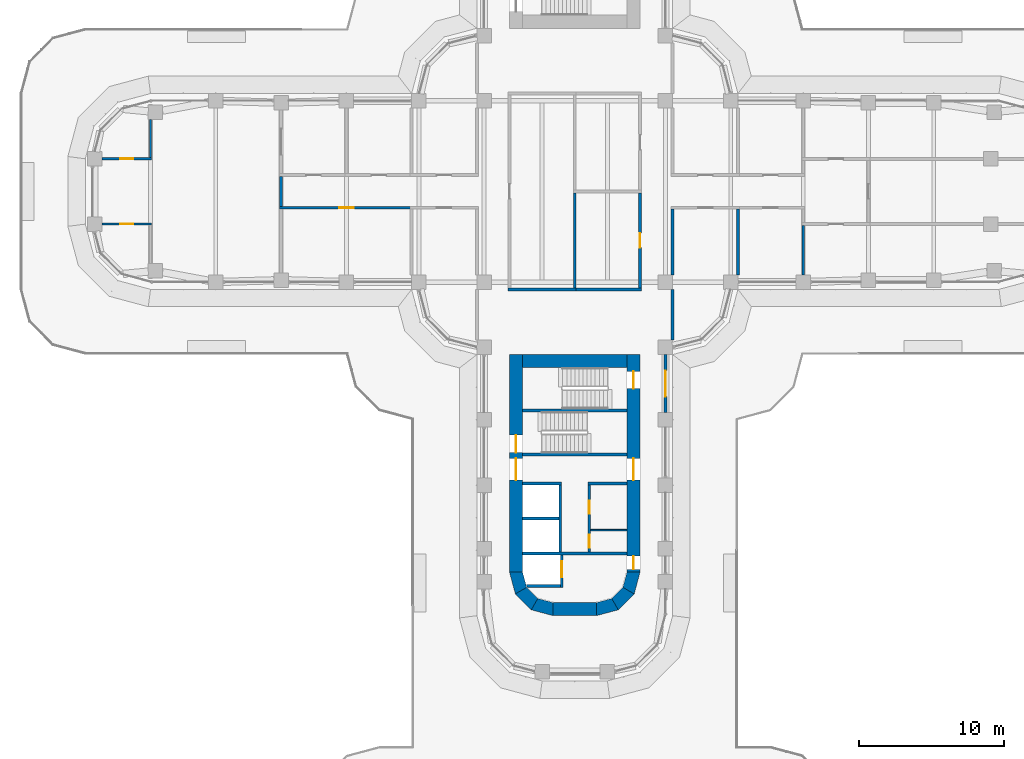
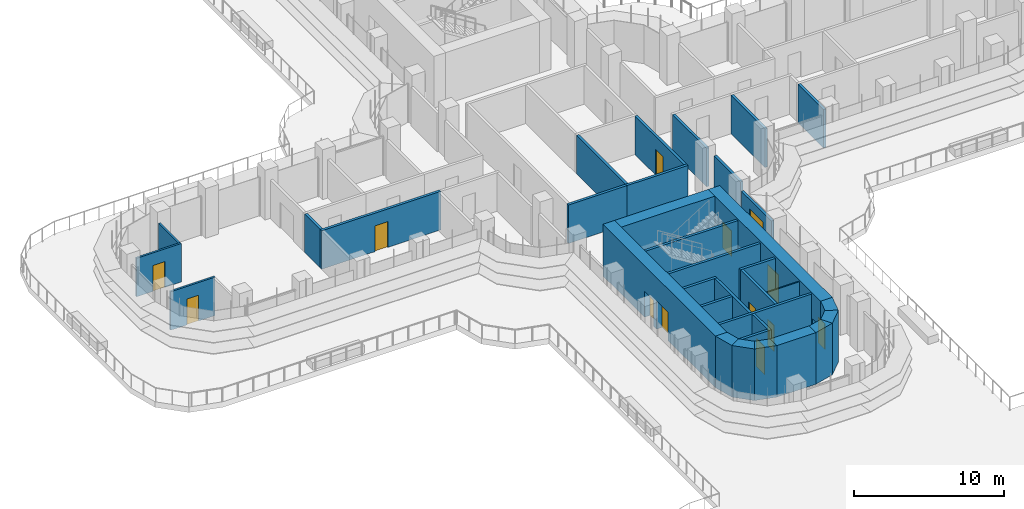
# One storey, part 17 of 26: 35 walls, 13 doors, 13 openings.
"""IFC4 building model written with IfcOpenShell, lengths in metres."""

from ifc_helpers import new_model, si_unit, direction, frame, frame_2d, origin, place, context, subcontext, project, spatial, polyline, rectangle, outline, extrude, material, layer, layer_set, type_object, element, fill, save


model = new_model("IFC4")

# Units and contexts
model_context = context("Model", 3, precision=1e-05, world=origin(), true_north=direction((0.0, 1.0)))
body_context = subcontext(model_context, "Body", "Model", "MODEL_VIEW")
ifc_project = project(units=[si_unit("LENGTHUNIT", "METRE"), si_unit("AREAUNIT", "SQUARE_METRE"), si_unit("VOLUMEUNIT", "CUBIC_METRE"), si_unit("PLANEANGLEUNIT", "RADIAN"), si_unit("MASSUNIT", "GRAM", prefix="KILO")], contexts=[model_context])

# Site, building, storey
site_placement = place(None, origin())
site = spatial("IfcSite", under=ifc_project, at=site_placement, CompositionType="ELEMENT")
building_placement = place(site_placement, origin())
building = spatial("IfcBuilding", under=site, at=building_placement, Name="Zarbagh Exchange Tower", CompositionType="ELEMENT")
storey_placement = place(building_placement, frame((0.0, 0.0, 27.0)))
storey = spatial("IfcBuildingStorey", under=building, at=storey_placement, Name="L05", CompositionType="ELEMENT", Elevation=27.0)

# Wall
ifc_material_1 = material(Name="Dense blockwork", Category="masonry")
ifc_layer_1 = layer(ifc_material_1, 0.10009765625)
ifc_layer_set_1 = layer_set([ifc_layer_1], Name="Core partition 100 mm blockwork")
wall_type_1 = type_object("IfcWallType", Name="Core partition 100 mm blockwork", PredefinedType="PARTITIONING", material=ifc_layer_set_1)
wall_1_placement = place(storey_placement, frame((3.60009765625, -23.35009765625, 0.0), z_axis=(0.0, 0.0, 1.0), x_axis=(-1.0, 0.0, 0.0)))
element("IfcWall", 1, at=wall_1_placement, inside=storey, type_object=wall_type_1, Name="South core partition wall CUT-W-500", PredefinedType="PARTITIONING", context=body_context, shape_type="SweptSolid", body=[
    extrude(rectangle(XDim=2.5, YDim=0.10009765625, at=frame_2d((1.25, 0.0))), origin(), (0.0, 0.0, 1.0), 4.050048828125),
])

# Wall, opening, door
ifc_material_2 = material(Name="Plasterboard partition")
ifc_layer_2 = layer(ifc_material_2, 0.14990234375)
ifc_layer_set_2 = layer_set([ifc_layer_2], Name="PARTITION 150")
wall_type_2 = type_object("IfcWallType", Name="PARTITION 150", PredefinedType="PARTITIONING", material=ifc_layer_set_2)
wall_2_placement = place(storey_placement, frame((-32.610107421875, 2.25, 0.0), z_axis=(0.0, 0.0, 1.0), x_axis=(1.0, 0.0, 0.0)))
wall_2 = element("IfcWall", 2, at=wall_2_placement, inside=storey, type_object=wall_type_2, Name="Partition W-147", PredefinedType="PARTITIONING", context=body_context, shape_type="SweptSolid", body=[
    extrude(rectangle(XDim=3.43505859375, YDim=0.14990234375, at=frame_2d((1.717529296875, 0.0))), origin(), (0.0, 0.0, 1.0), 3.130615234375),
])
opening_1_placement = place(wall_2_placement, frame((1.267578125, 0.0, 0.0)))
opening_1 = element("IfcOpeningElement", 3, at=opening_1_placement, cuts=wall_2, Name="Opening D-111", PredefinedType="OPENING", context=body_context, shape_type="SweptSolid", body=[
    extrude(rectangle(XDim=0.89990234375, YDim=2.10009765625, at=frame_2d((0.449951171875, 1.050048828125))), frame((0.0, 0.0849609375, 0.0), z_axis=(0.0, -1.0, 0.0), x_axis=(1.0, 0.0, 0.0)), (0.0, 0.0, 1.0), 0.169921875),
])
ifc_material_3 = material(Name="Timber door leaf", Category="wood")
door_type_1 = type_object("IfcDoorType", Name="DOOR 900 X 2100", OperationType="NOTDEFINED", PredefinedType="DOOR", material=ifc_material_3)
door_1_placement = place(opening_1_placement, origin())
door_1 = element("IfcDoor", 4, at=door_1_placement, inside=storey, type_object=door_type_1, Name="Door D-111", OperationType="SINGLE_SWING_RIGHT", OverallHeight=2.10009765625, OverallWidth=0.89990234375, PredefinedType="DOOR", context=body_context, shape_type="SweptSolid", body=[
    extrude(rectangle(XDim=0.89990234375, YDim=2.10009765625, at=frame_2d((0.449951171875, 1.050048828125))), frame((0.0, 0.02490234375, 0.0), z_axis=(0.0, -1.0, 0.0), x_axis=(1.0, 0.0, 0.0)), (0.0, 0.0, 1.0), 0.050048828125),
])
fill(opening_1, door_1)

# Wall
wall_3_placement = place(storey_placement, frame((-29.25, 2.324951171875, 0.0), z_axis=(0.0, 0.0, 1.0), x_axis=(0.0, 1.0, 0.0)))
element("IfcWall", 5, at=wall_3_placement, inside=storey, type_object=wall_type_2, Name="Partition W-148", PredefinedType="PARTITIONING", context=body_context, shape_type="SweptSolid", body=[
    extrude(rectangle(XDim=2.650146484375, YDim=0.14990234375, at=frame_2d((1.3251953125, 0.0))), origin(), (0.0, 0.0, 1.0), 3.130615234375),
])

# Wall, opening, door
wall_4_placement = place(storey_placement, frame((-29.175048828125, -2.25, 0.0), z_axis=(0.0, 0.0, 1.0), x_axis=(-1.0, 0.0, 0.0)))
wall_4 = element("IfcWall", 6, at=wall_4_placement, inside=storey, type_object=wall_type_2, Name="Partition W-150", PredefinedType="PARTITIONING", context=body_context, shape_type="SweptSolid", body=[
    extrude(rectangle(XDim=3.43505859375, YDim=0.14990234375, at=frame_2d((1.717529296875, 0.0))), origin(), (0.0, 0.0, 1.0), 3.130615234375),
])
opening_2_placement = place(wall_4_placement, frame((1.267578125, 0.0, 0.0)))
opening_2 = element("IfcOpeningElement", 7, at=opening_2_placement, cuts=wall_4, Name="Opening D-112", PredefinedType="OPENING", context=body_context, shape_type="SweptSolid", body=[
    extrude(rectangle(XDim=0.89990234375, YDim=2.10009765625, at=frame_2d((0.449951171875, 1.050048828125))), frame((0.0, 0.0849609375, 0.0), z_axis=(0.0, -1.0, 0.0), x_axis=(1.0, 0.0, 0.0)), (0.0, 0.0, 1.0), 0.169921875),
])
door_2_placement = place(opening_2_placement, origin())
door_2 = element("IfcDoor", 8, at=door_2_placement, inside=storey, type_object=door_type_1, Name="Door D-112", OperationType="SINGLE_SWING_LEFT", OverallHeight=2.10009765625, OverallWidth=0.89990234375, PredefinedType="DOOR", context=body_context, shape_type="SweptSolid", body=[
    extrude(rectangle(XDim=0.89990234375, YDim=2.10009765625, at=frame_2d((0.449951171875, 1.050048828125))), frame((0.0, 0.02490234375, 0.0), z_axis=(0.0, -1.0, 0.0), x_axis=(1.0, 0.0, 0.0)), (0.0, 0.0, 1.0), 0.050048828125),
])
fill(opening_2, door_2)

ifc_material_4 = material(Name="Fire-rated plasterboard partition")
ifc_layer_3 = layer(ifc_material_4, 0.199951171875)
ifc_layer_set_3 = layer_set([ifc_layer_3], Name="RATED PARTITION 200")
wall_type_3 = type_object("IfcWallType", Name="RATED PARTITION 200", PredefinedType="PARTITIONING", material=ifc_layer_set_3)
wall_5_placement = place(storey_placement, frame((4.5, -6.64990234375, 0.0), z_axis=(0.0, 0.0, 1.0), x_axis=(0.0, 1.0, 0.0)))
wall_5 = element("IfcWall", 9, at=wall_5_placement, inside=storey, type_object=wall_type_3, Name="Partition W-107", PredefinedType="PARTITIONING", context=body_context, shape_type="SweptSolid", body=[
    extrude(rectangle(XDim=6.5498046875, YDim=0.199951171875, at=frame_2d((3.27490234375, 0.0))), origin(), (0.0, 0.0, 1.0), 3.130615234375),
])
opening_3_placement = place(wall_5_placement, frame((2.77490234375, 0.0, 0.0)))
opening_3 = element("IfcOpeningElement", 10, at=opening_3_placement, cuts=wall_5, Name="Opening D-102", PredefinedType="OPENING", context=body_context, shape_type="SweptSolid", body=[
    extrude(rectangle(XDim=1.0, YDim=2.10009765625, at=frame_2d((0.5, 1.050048828125))), frame((0.0, 0.10986328125, 0.0), z_axis=(0.0, -1.0, 0.0), x_axis=(1.0, 0.0, 0.0)), (0.0, 0.0, 1.0), 0.219970703125),
])
ifc_material_5 = material(Name="Steel door set", Category="steel")
door_type_2 = type_object("IfcDoorType", Name="FIRE DOOR 1000 X 2100 FD30S", OperationType="NOTDEFINED", PredefinedType="DOOR", material=ifc_material_5)
door_3_placement = place(opening_3_placement, origin())
door_3 = element("IfcDoor", 11, at=door_3_placement, inside=storey, type_object=door_type_2, Name="Door D-102", OperationType="SINGLE_SWING_RIGHT", OverallHeight=2.10009765625, OverallWidth=1.0, PredefinedType="DOOR", context=body_context, shape_type="SweptSolid", body=[
    extrude(rectangle(XDim=1.0, YDim=2.10009765625, at=frame_2d((0.5, 1.050048828125))), frame((0.0, 0.02490234375, 0.0), z_axis=(0.0, -1.0, 0.0), x_axis=(1.0, 0.0, 0.0)), (0.0, 0.0, 1.0), 0.050048828125),
])
fill(opening_3, door_3)

# Walls
wall_6_placement = place(storey_placement, frame((6.75, -10.25, 0.0), z_axis=(0.0, 0.0, 1.0), x_axis=(0.0, 1.0, 0.0)))
element("IfcWall", 12, at=wall_6_placement, inside=storey, type_object=wall_type_3, Name="Partition W-110", PredefinedType="PARTITIONING", context=body_context, shape_type="SweptSolid", body=[
    extrude(rectangle(XDim=3.5, YDim=0.199951171875, at=frame_2d((1.75, 0.0))), origin(), (0.0, 0.0, 1.0), 3.130615234375),
])
wall_7_placement = place(storey_placement, frame((6.75, -5.75, 0.0), z_axis=(0.0, 0.0, 1.0), x_axis=(0.0, 1.0, 0.0)))
element("IfcWall", 13, at=wall_7_placement, inside=storey, type_object=wall_type_3, Name="Partition W-111", PredefinedType="PARTITIONING", context=body_context, shape_type="SweptSolid", body=[
    extrude(rectangle(XDim=4.52490234375, YDim=0.199951171875, at=frame_2d((2.262451171875, 0.0))), origin(), (0.0, 0.0, 1.0), 3.130615234375),
])
for number, where, z_axis, x_axis, name in (
    (14, (-4.60009765625, -6.75, 0.0), (0.0, 0.0, 1.0), (1.0, 0.0, 0.0), "Partition W-114"),
    (15, (-0.10009765625, -6.75, 0.0), (0.0, 0.0, 1.0), (1.0, 0.0, 0.0), "Partition W-115"),
):
    element("IfcWall", number, at=place(storey_placement, frame(where, z_axis=z_axis, x_axis=x_axis)), inside=storey, type_object=wall_type_3, Name=name, PredefinedType="PARTITIONING", context=body_context, shape_type="SweptSolid", body=[
        extrude(rectangle(XDim=4.7001953125, YDim=0.199951171875, at=frame_2d((2.35009765625, 0.0))), origin(), (0.0, 0.0, 1.0), 3.130615234375),
    ])
wall_8_placement = place(storey_placement, frame((0.0, -6.64990234375, 0.0), z_axis=(0.0, 0.0, 1.0), x_axis=(0.0, 1.0, 0.0)))
element("IfcWall", 16, at=wall_8_placement, inside=storey, type_object=wall_type_3, Name="Partition W-117", PredefinedType="PARTITIONING", context=body_context, shape_type="SweptSolid", body=[
    extrude(rectangle(XDim=6.5498046875, YDim=0.199951171875, at=frame_2d((3.27490234375, 0.0))), origin(), (0.0, 0.0, 1.0), 3.130615234375),
])
wall_9_placement = place(storey_placement, frame((11.25, -5.75, 0.0), z_axis=(0.0, 0.0, 1.0), x_axis=(0.0, 1.0, 0.0)))
element("IfcWall", 17, at=wall_9_placement, inside=storey, type_object=wall_type_3, Name="Partition W-124", PredefinedType="PARTITIONING", context=body_context, shape_type="SweptSolid", body=[
    extrude(rectangle(XDim=4.52490234375, YDim=0.199951171875, at=frame_2d((2.262451171875, 0.0))), origin(), (0.0, 0.0, 1.0), 3.130615234375),
])
wall_10_placement = place(storey_placement, frame((15.75, -5.75, 0.0), z_axis=(0.0, 0.0, 1.0), x_axis=(0.0, 1.0, 0.0)))
element("IfcWall", 18, at=wall_10_placement, inside=storey, type_object=wall_type_3, Name="Partition W-128", PredefinedType="PARTITIONING", context=body_context, shape_type="SweptSolid", body=[
    extrude(rectangle(XDim=3.39990234375, YDim=0.199951171875, at=frame_2d((1.699951171875, 0.0))), origin(), (0.0, 0.0, 1.0), 3.130615234375),
])

# Wall, opening, door
wall_11_placement = place(storey_placement, frame((-11.14990234375, -1.125, 0.0), z_axis=(0.0, 0.0, 1.0), x_axis=(-1.0, 0.0, 0.0)))
wall_11 = element("IfcWall", 19, at=wall_11_placement, inside=storey, type_object=wall_type_3, Name="Partition W-140", PredefinedType="PARTITIONING", context=body_context, shape_type="SweptSolid", body=[
    extrude(rectangle(XDim=9.2001953125, YDim=0.199951171875, at=frame_2d((4.60009765625, 0.0))), origin(), (0.0, 0.0, 1.0), 3.130615234375),
])
opening_4_placement = place(wall_11_placement, frame((4.10009765625, 0.0, 0.0)))
opening_4 = element("IfcOpeningElement", 20, at=opening_4_placement, cuts=wall_11, Name="Opening D-118", PredefinedType="OPENING", context=body_context, shape_type="SweptSolid", body=[
    extrude(rectangle(XDim=1.0, YDim=2.10009765625, at=frame_2d((0.5, 1.050048828125))), frame((0.0, 0.10986328125, 0.0), z_axis=(0.0, -1.0, 0.0), x_axis=(1.0, 0.0, 0.0)), (0.0, 0.0, 1.0), 0.219970703125),
])
door_4_placement = place(opening_4_placement, origin())
door_4 = element("IfcDoor", 21, at=door_4_placement, inside=storey, type_object=door_type_2, Name="Door D-118", OperationType="SINGLE_SWING_LEFT", OverallHeight=2.10009765625, OverallWidth=1.0, PredefinedType="DOOR", context=body_context, shape_type="SweptSolid", body=[
    extrude(rectangle(XDim=1.0, YDim=2.10009765625, at=frame_2d((0.5, 1.050048828125))), frame((0.0, 0.02490234375, 0.0), z_axis=(0.0, -1.0, 0.0), x_axis=(1.0, 0.0, 0.0)), (0.0, 0.0, 1.0), 0.050048828125),
])
fill(opening_4, door_4)

# Walls
wall_12_placement = place(storey_placement, frame((-20.25, -1.02490234375, 0.0), z_axis=(0.0, 0.0, 1.0), x_axis=(0.0, 1.0, 0.0)))
element("IfcWall", 22, at=wall_12_placement, inside=storey, type_object=wall_type_3, Name="Partition W-141", PredefinedType="PARTITIONING", context=body_context, shape_type="SweptSolid", body=[
    extrude(rectangle(XDim=2.0498046875, YDim=0.199951171875, at=frame_2d((1.02490234375, 0.0))), origin(), (0.0, 0.0, 1.0), 3.130615234375),
])
ifc_material_6 = material(Name="Concrete C60/75", Category="concrete")
ifc_layer_4 = layer(ifc_material_6, 0.89990234375)
ifc_layer_set_4 = layer_set([ifc_layer_4], Name="RC core corner wall 900 C60/75")
wall_type_4 = type_object("IfcWallType", Name="RC core corner wall 900 C60/75", PredefinedType="SHEAR", material=ifc_layer_set_4)
wall_13_placement = place(storey_placement, origin())
element("IfcWall", 23, at=wall_13_placement, inside=storey, type_object=wall_type_4, Name="CW2 core S corner W", PredefinedType="SHEAR", context=body_context, shape_type="SweptSolid", body=[
    extrude(outline(polyline([(-4.5, -26.25), (-4.09814453125, -27.75), (-3.318603515625, -27.300048828125), (-3.60009765625, -26.25), (-4.5, -26.25)])), origin(), (0.0, 0.0, 1.0), 4.199951171875),
])
wall_14_placement = place(storey_placement, origin())
element("IfcWall", 24, at=wall_14_placement, inside=storey, type_object=wall_type_4, Name="CW2 core S corner W", PredefinedType="SHEAR", context=body_context, shape_type="SweptSolid", body=[
    extrude(outline(polyline([(-4.09814453125, -27.75), (-3.0, -28.84814453125), (-2.550048828125, -28.068603515625), (-3.318603515625, -27.300048828125), (-4.09814453125, -27.75)])), origin(), (0.0, 0.0, 1.0), 4.199951171875),
])
wall_15_placement = place(storey_placement, origin())
element("IfcWall", 25, at=wall_15_placement, inside=storey, type_object=wall_type_4, Name="CW2 core S corner W", PredefinedType="SHEAR", context=body_context, shape_type="SweptSolid", body=[
    extrude(outline(polyline([(-3.0, -28.84814453125), (-1.5, -29.25), (-1.5, -28.35009765625), (-2.550048828125, -28.068603515625), (-3.0, -28.84814453125)])), origin(), (0.0, 0.0, 1.0), 4.199951171875),
])
wall_16_placement = place(storey_placement, origin())
element("IfcWall", 26, at=wall_16_placement, inside=storey, type_object=wall_type_4, Name="CW2 core S corner E", PredefinedType="SHEAR", context=body_context, shape_type="SweptSolid", body=[
    extrude(outline(polyline([(4.5, -26.25), (4.09814453125, -27.75), (3.318603515625, -27.300048828125), (3.60009765625, -26.25), (4.5, -26.25)])), origin(), (0.0, 0.0, 1.0), 4.199951171875),
])
wall_17_placement = place(storey_placement, origin())
element("IfcWall", 27, at=wall_17_placement, inside=storey, type_object=wall_type_4, Name="CW2 core S corner E", PredefinedType="SHEAR", context=body_context, shape_type="SweptSolid", body=[
    extrude(outline(polyline([(4.09814453125, -27.75), (3.0, -28.84814453125), (2.550048828125, -28.068603515625), (3.318603515625, -27.300048828125), (4.09814453125, -27.75)])), origin(), (0.0, 0.0, 1.0), 4.199951171875),
])
wall_18_placement = place(storey_placement, origin())
element("IfcWall", 28, at=wall_18_placement, inside=storey, type_object=wall_type_4, Name="CW2 core S corner E", PredefinedType="SHEAR", context=body_context, shape_type="SweptSolid", body=[
    extrude(outline(polyline([(3.0, -28.84814453125), (1.5, -29.25), (1.5, -28.35009765625), (2.550048828125, -28.068603515625), (3.0, -28.84814453125)])), origin(), (0.0, 0.0, 1.0), 4.199951171875),
])

# Wall, openings, doors
ifc_layer_5 = layer(ifc_material_6, 0.89990234375)
ifc_layer_set_5 = layer_set([ifc_layer_5], Name="RC core wall 900 C60/75")
wall_type_5 = type_object("IfcWallType", Name="RC core wall 900 C60/75", PredefinedType="SHEAR", material=ifc_layer_set_5)
wall_19_placement = place(storey_placement, frame((-4.050048828125, -11.25, 0.0), z_axis=(0.0, 0.0, 1.0), x_axis=(0.0, -1.0, 0.0)))
wall_19 = element("IfcWall", 29, at=wall_19_placement, inside=storey, type_object=wall_type_5, Name="CW1 core S W", PredefinedType="SHEAR", context=body_context, shape_type="SweptSolid", body=[
    extrude(rectangle(XDim=15.0, YDim=0.89990234375, at=frame_2d((7.5, 0.0))), origin(), (0.0, 0.0, 1.0), 4.199951171875),
])
opening_5_placement = place(wall_19_placement, frame((7.14990234375, 0.0, 0.0)))
opening_5 = element("IfcOpeningElement", 30, at=opening_5_placement, cuts=wall_19, Name="Opening CD1-1500", PredefinedType="OPENING", context=body_context, shape_type="SweptSolid", body=[
    extrude(rectangle(XDim=1.5, YDim=2.300048828125, at=frame_2d((0.75, 1.14990234375))), frame((0.0, 0.4599609375, 0.0), z_axis=(0.0, -1.0, 0.0), x_axis=(1.0, 0.0, 0.0)), (0.0, 0.0, 1.0), 0.919921875),
])
opening_6_placement = place(wall_19_placement, frame((5.550048828125, 0.0, 0.0)))
opening_6 = element("IfcOpeningElement", 31, at=opening_6_placement, cuts=wall_19, Name="Opening SD1-1200", PredefinedType="OPENING", context=body_context, shape_type="SweptSolid", body=[
    extrude(rectangle(XDim=1.199951171875, YDim=2.10009765625, at=frame_2d((0.60009765625, 1.050048828125))), frame((0.0, 0.4599609375, 0.0), z_axis=(0.0, -1.0, 0.0), x_axis=(1.0, 0.0, 0.0)), (0.0, 0.0, 1.0), 0.919921875),
])
ifc_material_7 = material(Name="Steel", Category="steel")
door_type_3 = type_object("IfcDoorType", Name="Exit stair door 1200 x 2100", OperationType="NOTDEFINED", PredefinedType="DOOR", material=ifc_material_7)
door_5_placement = place(opening_6_placement, origin())
door_5 = element("IfcDoor", 32, at=door_5_placement, inside=storey, type_object=door_type_3, Name="South core stair door ST1", OperationType="SINGLE_SWING_RIGHT", OverallHeight=2.10009765625, OverallWidth=1.199951171875, PredefinedType="DOOR", context=body_context, shape_type="SweptSolid", body=[
    extrude(rectangle(XDim=1.199951171875, YDim=2.10009765625, at=frame_2d((0.60009765625, 1.050048828125))), frame((0.0, 0.02490234375, 0.0), z_axis=(0.0, -1.0, 0.0), x_axis=(1.0, 0.0, 0.0)), (0.0, 0.0, 1.0), 0.050048828125),
])
fill(opening_6, door_5)
door_type_4 = type_object("IfcDoorType", Name="Lift lobby double door 1500 x 2300", OperationType="NOTDEFINED", PredefinedType="DOOR", material=ifc_material_7)
door_6_placement = place(opening_5_placement, origin())
door_6 = element("IfcDoor", 33, at=door_6_placement, inside=storey, type_object=door_type_4, Name="South core lift lobby door LOBBY-E", OperationType="DOUBLE_DOOR_SINGLE_SWING", OverallHeight=2.300048828125, OverallWidth=1.5, PredefinedType="DOOR", context=body_context, shape_type="SweptSolid", body=[
    extrude(rectangle(XDim=1.5, YDim=2.300048828125, at=frame_2d((0.75, 1.14990234375))), frame((0.0, 0.02490234375, 0.0), z_axis=(0.0, -1.0, 0.0), x_axis=(1.0, 0.0, 0.0)), (0.0, 0.0, 1.0), 0.050048828125),
])
fill(opening_5, door_6)

wall_20_placement = place(storey_placement, frame((4.050048828125, -11.25, 0.0), z_axis=(0.0, 0.0, 1.0), x_axis=(0.0, -1.0, 0.0)))
wall_20 = element("IfcWall", 34, at=wall_20_placement, inside=storey, type_object=wall_type_5, Name="CW1 core S E", PredefinedType="SHEAR", context=body_context, shape_type="SweptSolid", body=[
    extrude(rectangle(XDim=15.0, YDim=0.89990234375, at=frame_2d((7.5, 0.0))), origin(), (0.0, 0.0, 1.0), 4.199951171875),
])
opening_7_placement = place(wall_20_placement, frame((7.14990234375, 0.0, 0.0)))
opening_7 = element("IfcOpeningElement", 35, at=opening_7_placement, cuts=wall_20, Name="Opening CD1-1500", PredefinedType="OPENING", context=body_context, shape_type="SweptSolid", body=[
    extrude(rectangle(XDim=1.5, YDim=2.300048828125, at=frame_2d((0.75, 1.14990234375))), frame((0.0, 0.4599609375, 0.0), z_axis=(0.0, -1.0, 0.0), x_axis=(1.0, 0.0, 0.0)), (0.0, 0.0, 1.0), 0.919921875),
])
opening_8_placement = place(wall_20_placement, frame((13.89990234375, 0.0, 0.0)))
opening_8 = element("IfcOpeningElement", 36, at=opening_8_placement, cuts=wall_20, Name="Opening CD2-900", PredefinedType="OPENING", context=body_context, shape_type="SweptSolid", body=[
    extrude(rectangle(XDim=0.89990234375, YDim=2.10009765625, at=frame_2d((0.449951171875, 1.050048828125))), frame((0.0, 0.4599609375, 0.0), z_axis=(0.0, -1.0, 0.0), x_axis=(1.0, 0.0, 0.0)), (0.0, 0.0, 1.0), 0.919921875),
])
opening_9_placement = place(wall_20_placement, frame((1.14990234375, 0.0, 0.0)))
opening_9 = element("IfcOpeningElement", 37, at=opening_9_placement, cuts=wall_20, Name="Opening SD1-1200", PredefinedType="OPENING", context=body_context, shape_type="SweptSolid", body=[
    extrude(rectangle(XDim=1.199951171875, YDim=2.10009765625, at=frame_2d((0.60009765625, 1.050048828125))), frame((0.0, 0.4599609375, 0.0), z_axis=(0.0, -1.0, 0.0), x_axis=(1.0, 0.0, 0.0)), (0.0, 0.0, 1.0), 0.919921875),
])
door_7_placement = place(opening_9_placement, origin())
door_7 = element("IfcDoor", 38, at=door_7_placement, inside=storey, type_object=door_type_3, Name="South core stair door ST2", OperationType="SINGLE_SWING_LEFT", OverallHeight=2.10009765625, OverallWidth=1.199951171875, PredefinedType="DOOR", context=body_context, shape_type="SweptSolid", body=[
    extrude(rectangle(XDim=1.199951171875, YDim=2.10009765625, at=frame_2d((0.60009765625, 1.050048828125))), frame((0.0, 0.02490234375, 0.0), z_axis=(0.0, -1.0, 0.0), x_axis=(1.0, 0.0, 0.0)), (0.0, 0.0, 1.0), 0.050048828125),
])
fill(opening_9, door_7)
door_type_5 = type_object("IfcDoorType", Name="Firefighting lobby door 900 x 2100", OperationType="NOTDEFINED", PredefinedType="DOOR", material=ifc_material_7)
door_8_placement = place(opening_8_placement, origin())
door_8 = element("IfcDoor", 39, at=door_8_placement, inside=storey, type_object=door_type_5, Name="South core firefighting lobby door FF-W", OperationType="SINGLE_SWING_LEFT", OverallHeight=2.10009765625, OverallWidth=0.89990234375, PredefinedType="DOOR", context=body_context, shape_type="SweptSolid", body=[
    extrude(rectangle(XDim=0.89990234375, YDim=2.10009765625, at=frame_2d((0.449951171875, 1.050048828125))), frame((0.0, 0.02490234375, 0.0), z_axis=(0.0, -1.0, 0.0), x_axis=(1.0, 0.0, 0.0)), (0.0, 0.0, 1.0), 0.050048828125),
])
fill(opening_8, door_8)
door_9_placement = place(opening_7_placement, origin())
door_9 = element("IfcDoor", 40, at=door_9_placement, inside=storey, type_object=door_type_4, Name="South core lift lobby door LOBBY-W", OperationType="DOUBLE_DOOR_SINGLE_SWING", OverallHeight=2.300048828125, OverallWidth=1.5, PredefinedType="DOOR", context=body_context, shape_type="SweptSolid", body=[
    extrude(rectangle(XDim=1.5, YDim=2.300048828125, at=frame_2d((0.75, 1.14990234375))), frame((0.0, 0.02490234375, 0.0), z_axis=(0.0, -1.0, 0.0), x_axis=(1.0, 0.0, 0.0)), (0.0, 0.0, 1.0), 0.050048828125),
])
fill(opening_7, door_9)

# Walls
wall_21_placement = place(storey_placement, frame((-3.60009765625, -11.699951171875, 0.0), z_axis=(0.0, 0.0, 1.0), x_axis=(1.0, 0.0, 0.0)))
element("IfcWall", 41, at=wall_21_placement, inside=storey, type_object=wall_type_5, Name="CW1 core S inner end", PredefinedType="SHEAR", context=body_context, shape_type="SweptSolid", body=[
    extrude(rectangle(XDim=7.2001953125, YDim=0.89990234375, at=frame_2d((3.60009765625, 0.0))), origin(), (0.0, 0.0, 1.0), 4.199951171875),
])
wall_22_placement = place(storey_placement, frame((-1.5, -28.800048828125, 0.0), z_axis=(0.0, 0.0, 1.0), x_axis=(1.0, 0.0, 0.0)))
element("IfcWall", 42, at=wall_22_placement, inside=storey, type_object=wall_type_5, Name="CW1 core S outer end", PredefinedType="SHEAR", context=body_context, shape_type="SweptSolid", body=[
    extrude(rectangle(XDim=3.0, YDim=0.89990234375, at=frame_2d((1.5, 0.0))), origin(), (0.0, 0.0, 1.0), 4.199951171875),
])
ifc_layer_6 = layer(ifc_material_1, 0.199951171875)
ifc_layer_set_6 = layer_set([ifc_layer_6], Name="Shaft wall 200 mm blockwork")
wall_type_6 = type_object("IfcWallType", Name="Shaft wall 200 mm blockwork", PredefinedType="PARTITIONING", material=ifc_layer_set_6)
wall_23_placement = place(storey_placement, frame((3.60009765625, -20.14990234375, 0.0), z_axis=(0.0, 0.0, 1.0), x_axis=(-1.0, 0.0, 0.0)))
element("IfcWall", 43, at=wall_23_placement, inside=storey, type_object=wall_type_6, Name="South core shaft wall AB-W", PredefinedType="PARTITIONING", context=body_context, shape_type="SweptSolid", body=[
    extrude(rectangle(XDim=2.7001953125, YDim=0.199951171875, at=frame_2d((1.35009765625, 0.0))), origin(), (0.0, 0.0, 1.0), 4.050048828125),
])

# Wall, openings, doors
wall_24_placement = place(storey_placement, frame((1.0, -24.85009765625, 0.0), z_axis=(0.0, 0.0, 1.0), x_axis=(0.0, 1.0, 0.0)))
wall_24 = element("IfcWall", 44, at=wall_24_placement, inside=storey, type_object=wall_type_6, Name="South core shaft wall LW-W", PredefinedType="PARTITIONING", context=body_context, shape_type="SweptSolid", body=[
    extrude(rectangle(XDim=4.60009765625, YDim=0.199951171875, at=frame_2d((2.300048828125, 0.0))), origin(), (0.0, 0.0, 1.0), 4.050048828125),
])
opening_10_placement = place(wall_24_placement, frame((0.27490234375, 0.0, 0.0)))
opening_10 = element("IfcOpeningElement", 45, at=opening_10_placement, cuts=wall_24, Name="Opening CD3-900", PredefinedType="OPENING", context=body_context, shape_type="SweptSolid", body=[
    extrude(rectangle(XDim=0.89990234375, YDim=2.10009765625, at=frame_2d((0.449951171875, 1.050048828125))), frame((0.0, 0.10986328125, 0.0), z_axis=(0.0, -1.0, 0.0), x_axis=(1.0, 0.0, 0.0)), (0.0, 0.0, 1.0), 0.219970703125),
])
opening_11_placement = place(wall_24_placement, frame((2.625, 0.0, 0.0)))
opening_11 = element("IfcOpeningElement", 46, at=opening_11_placement, cuts=wall_24, Name="Opening CD3-900", PredefinedType="OPENING", context=body_context, shape_type="SweptSolid", body=[
    extrude(rectangle(XDim=0.89990234375, YDim=2.10009765625, at=frame_2d((0.449951171875, 1.050048828125))), frame((0.0, 0.10986328125, 0.0), z_axis=(0.0, -1.0, 0.0), x_axis=(1.0, 0.0, 0.0)), (0.0, 0.0, 1.0), 0.219970703125),
])
door_type_6 = type_object("IfcDoorType", Name="Core room door 900 x 2100", OperationType="NOTDEFINED", PredefinedType="DOOR", material=ifc_material_7)
door_10_placement = place(opening_10_placement, origin())
door_10 = element("IfcDoor", 47, at=door_10_placement, inside=storey, type_object=door_type_6, Name="South core Cleaner's store door RD-W-0", OperationType="SINGLE_SWING_LEFT", OverallHeight=2.10009765625, OverallWidth=0.89990234375, PredefinedType="DOOR", context=body_context, shape_type="SweptSolid", body=[
    extrude(rectangle(XDim=0.89990234375, YDim=2.10009765625, at=frame_2d((0.449951171875, 1.050048828125))), frame((0.0, 0.02490234375, 0.0), z_axis=(0.0, -1.0, 0.0), x_axis=(1.0, 0.0, 0.0)), (0.0, 0.0, 1.0), 0.050048828125),
])
fill(opening_10, door_10)
door_11_placement = place(opening_11_placement, origin())
door_11 = element("IfcDoor", 48, at=door_11_placement, inside=storey, type_object=door_type_6, Name="South core Accessible WC door RD-W-1", OperationType="SINGLE_SWING_LEFT", OverallHeight=2.10009765625, OverallWidth=0.89990234375, PredefinedType="DOOR", context=body_context, shape_type="SweptSolid", body=[
    extrude(rectangle(XDim=0.89990234375, YDim=2.10009765625, at=frame_2d((0.449951171875, 1.050048828125))), frame((0.0, 0.02490234375, 0.0), z_axis=(0.0, -1.0, 0.0), x_axis=(1.0, 0.0, 0.0)), (0.0, 0.0, 1.0), 0.050048828125),
])
fill(opening_11, door_11)

# Walls
wall_25_placement = place(storey_placement, frame((-0.89990234375, -20.14990234375, 0.0), z_axis=(0.0, 0.0, 1.0), x_axis=(-1.0, 0.0, 0.0)))
element("IfcWall", 49, at=wall_25_placement, inside=storey, type_object=wall_type_6, Name="South core shaft wall AB-E", PredefinedType="PARTITIONING", context=body_context, shape_type="SweptSolid", body=[
    extrude(rectangle(XDim=2.7001953125, YDim=0.199951171875, at=frame_2d((1.35009765625, 0.0))), origin(), (0.0, 0.0, 1.0), 4.050048828125),
])
wall_26_placement = place(storey_placement, frame((-1.0, -24.85009765625, 0.0), z_axis=(0.0, 0.0, 1.0), x_axis=(0.0, 1.0, 0.0)))
element("IfcWall", 50, at=wall_26_placement, inside=storey, type_object=wall_type_6, Name="South core shaft wall LW-E", PredefinedType="PARTITIONING", context=body_context, shape_type="SweptSolid", body=[
    extrude(rectangle(XDim=4.60009765625, YDim=0.199951171875, at=frame_2d((2.300048828125, 0.0))), origin(), (0.0, 0.0, 1.0), 4.050048828125),
])
wall_27_placement = place(storey_placement, frame((-1.10009765625, -22.550048828125, 0.0), z_axis=(0.0, 0.0, 1.0), x_axis=(-1.0, 0.0, 0.0)))
element("IfcWall", 51, at=wall_27_placement, inside=storey, type_object=wall_type_6, Name="South core shaft wall TR-E", PredefinedType="PARTITIONING", context=body_context, shape_type="SweptSolid", body=[
    extrude(rectangle(XDim=2.5, YDim=0.199951171875, at=frame_2d((1.25, 0.0))), origin(), (0.0, 0.0, 1.0), 4.050048828125),
])
ifc_material_8 = material(Name="Concrete C40/50", Category="concrete")
ifc_layer_7 = layer(ifc_material_8, 0.199951171875)
ifc_layer_set_7 = layer_set([ifc_layer_7], Name="Stair enclosure wall 200 mm RC C40/50")
wall_type_7 = type_object("IfcWallType", Name="Stair enclosure wall 200 mm RC C40/50", PredefinedType="SHEAR", material=ifc_layer_set_7)
wall_28_placement = place(storey_placement, frame((3.60009765625, -24.949951171875, 0.0), z_axis=(0.0, 0.0, 1.0), x_axis=(-1.0, 0.0, 0.0)))
element("IfcWall", 52, at=wall_28_placement, inside=storey, type_object=wall_type_7, Name="South core lift shaft wall FFA", PredefinedType="SHEAR", context=body_context, shape_type="SweptSolid", body=[
    extrude(rectangle(XDim=7.2001953125, YDim=0.199951171875, at=frame_2d((3.60009765625, 0.0))), origin(), (0.0, 0.0, 1.0), 4.050048828125),
])

# Wall, opening, door
wall_29_placement = place(storey_placement, frame((-0.89990234375, -27.300048828125, 0.0), z_axis=(0.0, 0.0, 1.0), x_axis=(0.0, 1.0, 0.0)))
wall_29 = element("IfcWall", 53, at=wall_29_placement, inside=storey, type_object=wall_type_7, Name="South core lift shaft wall FFL", PredefinedType="SHEAR", context=body_context, shape_type="SweptSolid", body=[
    extrude(rectangle(XDim=2.25, YDim=0.199951171875, at=frame_2d((1.125, 0.0))), origin(), (0.0, 0.0, 1.0), 4.050048828125),
])
opening_12_placement = place(wall_29_placement, frame((0.699951171875, 0.0, 0.0)))
opening_12 = element("IfcOpeningElement", 54, at=opening_12_placement, cuts=wall_29, Name="Opening LD-1100", PredefinedType="OPENING", context=body_context, shape_type="SweptSolid", body=[
    extrude(rectangle(XDim=1.10009765625, YDim=2.300048828125, at=frame_2d((0.550048828125, 1.14990234375))), frame((0.0, 0.10986328125, 0.0), z_axis=(0.0, -1.0, 0.0), x_axis=(1.0, 0.0, 0.0)), (0.0, 0.0, 1.0), 0.219970703125),
])
ifc_material_9 = material(Name="Stainless steel", Category="steel")
door_type_7 = type_object("IfcDoorType", Name="Lift landing door 1100 x 2300", OperationType="NOTDEFINED", PredefinedType="DOOR", material=ifc_material_9)
door_12_placement = place(opening_12_placement, origin())
door_12 = element("IfcDoor", 55, at=door_12_placement, inside=storey, type_object=door_type_7, Name="South core lift landing door LD-F", OperationType="DOUBLE_DOOR_SLIDING", OverallHeight=2.300048828125, OverallWidth=1.10009765625, PredefinedType="DOOR", context=body_context, shape_type="SweptSolid", body=[
    extrude(rectangle(XDim=1.10009765625, YDim=2.300048828125, at=frame_2d((0.550048828125, 1.14990234375))), frame((0.0, 0.02490234375, 0.0), z_axis=(0.0, -1.0, 0.0), x_axis=(1.0, 0.0, 0.0)), (0.0, 0.0, 1.0), 0.050048828125),
])
fill(opening_12, door_12)

# Walls
wall_30_placement = place(storey_placement, origin())
element("IfcWall", 56, at=wall_30_placement, inside=storey, type_object=wall_type_7, Name="South core lift shaft wall FFX", PredefinedType="SHEAR", context=body_context, shape_type="SweptSolid", body=[
    extrude(outline(polyline([(-1.0, -27.10009765625), (-3.340576171875, -27.10009765625), (-3.291259765625, -27.2841796875), (-3.275390625, -27.300048828125), (-1.0, -27.300048828125), (-1.0, -27.10009765625)])), origin(), (0.0, 0.0, 1.0), 4.050048828125),
])
for number, where, z_axis, x_axis, name in (
    (57, (3.60009765625, -18.14990234375, 0.0), (0.0, 0.0, 1.0), (-1.0, 0.0, 0.0), "South core stair wall BS"),
    (58, (3.60009765625, -15.10009765625, 0.0), (0.0, 0.0, 1.0), (-1.0, 0.0, 0.0), "South core stair wall ST12"),
):
    element("IfcWall", number, at=place(storey_placement, frame(where, z_axis=z_axis, x_axis=x_axis)), inside=storey, type_object=wall_type_7, Name=name, PredefinedType="SHEAR", context=body_context, shape_type="SweptSolid", body=[
        extrude(rectangle(XDim=7.2001953125, YDim=0.199951171875, at=frame_2d((3.60009765625, 0.0))), origin(), (0.0, 0.0, 1.0), 4.050048828125),
    ])

# Wall, opening, door
ifc_material_10 = material(Name="Precast concrete C50/60", Category="concrete")
ifc_layer_8 = layer(ifc_material_10, 0.199951171875)
ifc_layer_set_8 = layer_set([ifc_layer_8], Name="Terrace door wall, precast concrete C50/60")
wall_type_8 = type_object("IfcWallType", Name="Terrace door wall, precast concrete C50/60", PredefinedType="SOLIDWALL", material=ifc_layer_set_8)
wall_31_placement = place(storey_placement, frame((6.25, -15.25, 0.0), z_axis=(0.0, 0.0, 1.0), x_axis=(0.0, 1.0, 0.0)))
wall_31 = element("IfcWall", 59, at=wall_31_placement, inside=storey, type_object=wall_type_8, Name="TW33 door wall", PredefinedType="SOLIDWALL", context=body_context, shape_type="SweptSolid", body=[
    extrude(rectangle(XDim=4.0, YDim=0.199951171875, at=frame_2d((2.0, 0.0))), origin(), (0.0, 0.0, 1.0), 3.14990234375),
])
opening_13_placement = place(wall_31_placement, frame((1.10009765625, 0.0, 0.0)))
opening_13 = element("IfcOpeningElement", 60, at=opening_13_placement, cuts=wall_31, Name="Opening TD03", PredefinedType="OPENING", context=body_context, shape_type="SweptSolid", body=[
    extrude(rectangle(XDim=1.800048828125, YDim=2.39990234375, at=frame_2d((0.89990234375, 1.199951171875))), frame((0.0, 0.10986328125, 0.0), z_axis=(0.0, -1.0, 0.0), x_axis=(1.0, 0.0, 0.0)), (0.0, 0.0, 1.0), 0.219970703125),
])
ifc_material_11 = material(Name="Anodised aluminium and glass", Category="aluminium")
door_type_8 = type_object("IfcDoorType", Name="Terrace door, double leaf, aluminium and glass", OperationType="DOUBLE_DOOR_DOUBLE_SWING", PredefinedType="DOOR", material=ifc_material_11)
door_13_placement = place(opening_13_placement, origin())
door_13 = element("IfcDoor", 61, at=door_13_placement, inside=storey, type_object=door_type_8, Name="TD03 terrace door", OperationType="SINGLE_SWING_LEFT", OverallHeight=2.39990234375, OverallWidth=1.800048828125, PredefinedType="DOOR", context=body_context, shape_type="SweptSolid", body=[
    extrude(rectangle(XDim=1.800048828125, YDim=2.39990234375, at=frame_2d((0.89990234375, 1.199951171875))), frame((0.0, 0.02490234375, 0.0), z_axis=(0.0, -1.0, 0.0), x_axis=(1.0, 0.0, 0.0)), (0.0, 0.0, 1.0), 0.050048828125),
])
fill(opening_13, door_13)

save(model, "model.ifc")
